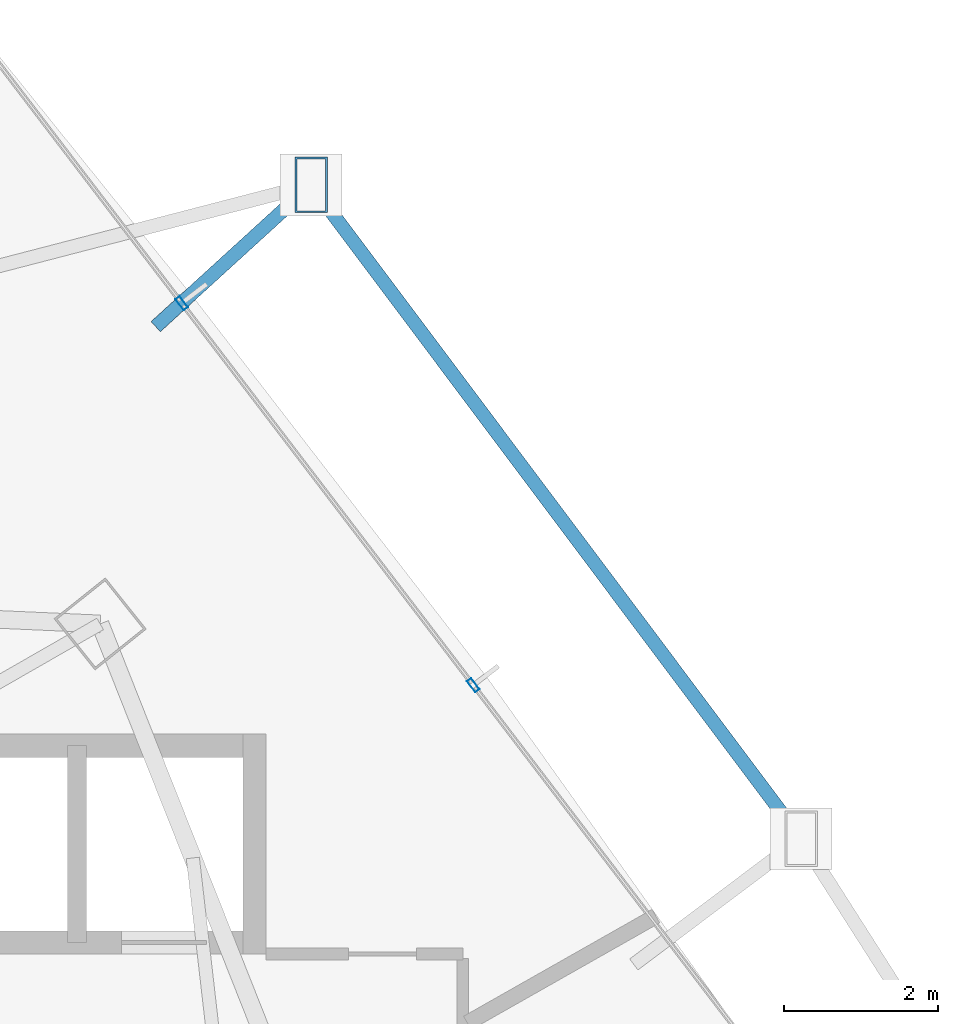
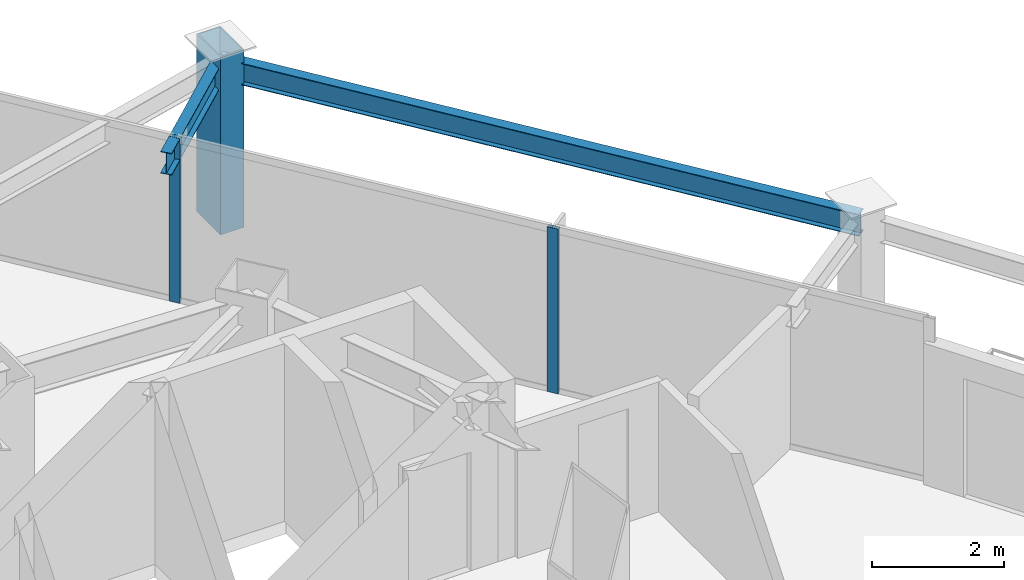
# One storey, part 26 of 33: 3 members, 2 beams, 1 element without a shape of its own.
"""IFC4 building model written with IfcOpenShell, lengths in metres."""

from ifc_helpers import new_model, si_unit, direction, frame, origin, origin_2d, place, context, subcontext, project, spatial, hollow_rectangle, i_section, extrude, material, layer, layer_set, material_profile, profile_set, type_object, element, aggregate, save


model = new_model("IFC4")

# Units and contexts
model_context = context("Model", 3, precision=1e-05, world=origin(), true_north=direction((0.0, 1.0)))
body_context = subcontext(model_context, "Body", "Model", "MODEL_VIEW")
ifc_project = project(units=[si_unit("LENGTHUNIT", "METRE"), si_unit("AREAUNIT", "SQUARE_METRE"), si_unit("VOLUMEUNIT", "CUBIC_METRE"), si_unit("PLANEANGLEUNIT", "RADIAN"), si_unit("MASSUNIT", "GRAM", prefix="KILO")], contexts=[model_context])

# Site, building, storey
site_placement = place(None, origin())
site = spatial("IfcSite", under=ifc_project, at=site_placement, CompositionType="ELEMENT")
building_placement = place(site_placement, origin())
building = spatial("IfcBuilding", under=site, at=building_placement, Name="Orvanel Arch Residences", CompositionType="ELEMENT")
storey_placement = place(building_placement, frame((0.0, 0.0, 70.85009765625)))
storey = spatial("IfcBuildingStorey", under=building, at=storey_placement, Name="L19", CompositionType="ELEMENT", Elevation=70.85009765625)

# Member
ifc_material_1 = material(Name="Structural steel AS/NZS 3678 Grade 350", Category="steel")
ifc_material_profile_1 = material_profile(ifc_material_1, hollow_rectangle(XDim=0.419921875, YDim=0.719970703125, WallThickness=0.02490234375, at=origin_2d()), Name="RHS720x420x25")
ifc_profile_set_1 = profile_set([ifc_material_profile_1], Name="Structural steel AS/NZS 3678 Grade 350")
member_type_1 = type_object("IfcMemberType", Name="CH-720RHS-EXT", PredefinedType="CHORD", material=ifc_profile_set_1)
member_1_placement = place(storey_placement, frame((40.68310546875, 46.867919921875, 0.0), z_axis=(0.0, 0.0, 1.0), x_axis=(1.0, 0.0, 0.0)))
element("IfcMember", 1, at=member_1_placement, inside=storey, type_object=member_type_1, Name="L19 Outer Perimeter Frame Post 12", PredefinedType="CHORD", context=body_context, shape_type="SweptSolid", body=[
    extrude(hollow_rectangle(XDim=0.419921875, YDim=0.719970703125, WallThickness=0.02490234375, at=origin_2d()), origin(), (0.0, 0.0, 1.0), 3.2998046875),
])

# Curtain wall, members
ifc_material_2 = material(Name="Bronze-anodised aluminium AA6063-T6", Category="aluminium")
ifc_layer = layer(ifc_material_2, 0.179931640625)
ifc_layer_set = layer_set([ifc_layer], Name="Bronze-anodised aluminium AA6063-T6")
curtain_wall_type = type_object("IfcCurtainWallType", Name="CW2-LOW-SYS", PredefinedType="NOTDEFINED", material=ifc_layer_set)
curtain_wall_placement = place(storey_placement, origin())
curtain_wall = element("IfcCurtainWall", 2, at=curtain_wall_placement, inside=storey, type_object=curtain_wall_type, Name="L19 CW2-LOW-SYS Unitised Curtain Wall", PredefinedType="NOTDEFINED")
ifc_material_profile_2 = material_profile(ifc_material_2, hollow_rectangle(XDim=0.070068359375, YDim=0.179931640625, WallThickness=0.00439453125, at=origin_2d()), Name="ALU180x70x4.5")
ifc_profile_set_2 = profile_set([ifc_material_profile_2], Name="Bronze-anodised aluminium AA6063-T6")
member_type_2 = type_object("IfcMemberType", Name="MUL-180x70", PredefinedType="MULLION", material=ifc_profile_set_2)
member_2_placement = place(storey_placement, frame((42.78564453125, 40.38427734375, 0.0), z_axis=(0.0, 0.0, 1.0), x_axis=(-0.794898267581, -0.606742733122, 0.0)))
member_2 = element("IfcMember", 3, at=member_2_placement, type_object=member_type_2, Name="CW-S2 mullion 2", PredefinedType="MULLION", context=body_context, shape_type="SweptSolid", body=[
    extrude(hollow_rectangle(XDim=0.070068359375, YDim=0.179931640625, WallThickness=0.00439453125, at=origin_2d()), origin(), (0.0, 0.0, 1.0), 3.059814453125),
])
member_3_placement = place(storey_placement, frame((39.00634765625, 45.335693359375, 0.0), z_axis=(0.0, 0.0, 1.0), x_axis=(-0.794898267581, -0.606742733122, 0.0)))
member_3 = element("IfcMember", 4, at=member_3_placement, type_object=member_type_2, Name="CW-S2 mullion 3", PredefinedType="MULLION", context=body_context, shape_type="SweptSolid", body=[
    extrude(hollow_rectangle(XDim=0.070068359375, YDim=0.179931640625, WallThickness=0.00439453125, at=origin_2d()), origin(), (0.0, 0.0, 1.0), 3.059814453125),
])
aggregate(curtain_wall, [member_2, member_3])

# Beams
ifc_material_3 = material(Name="Structural steel AS/NZS 3679.1 Grade 300 (300 MPa)", Category="steel")
ifc_material_profile_3 = material_profile(ifc_material_3, i_section(OverallWidth=0.177978515625, OverallDepth=0.406005859375, WebThickness=0.0078125, FlangeThickness=0.0126953125, at=origin_2d()), Name="410UB59.7")
ifc_profile_set_3 = profile_set([ifc_material_profile_3], Name="Structural steel AS/NZS 3679.1 Grade 300 (300 MPa)")
beam_type = type_object("IfcBeamType", Name="OB-410UB-EXT", PredefinedType="SPANDREL", material=ifc_profile_set_3)
beam_1_placement = place(storey_placement, frame((47.033935546875, 38.39404296875, 2.85693359375), z_axis=(-0.599723307078, 0.800207444946, 0.0), x_axis=(-0.800207444946, -0.599723307078, 0.0)))
element("IfcBeam", 5, at=beam_1_placement, inside=storey, type_object=beam_type, Name="L19 Outer Perimeter Floor Ring Beam 11", PredefinedType="SPANDREL", context=body_context, shape_type="SweptSolid", body=[
    extrude(i_section(OverallWidth=0.177978515625, OverallDepth=0.406005859375, WebThickness=0.0078125, FlangeThickness=0.0126953125, at=origin_2d()), origin(), (0.0, 0.0, 1.0), 10.589599609375),
])
beam_2_placement = place(storey_placement, frame((38.669921875, 45.031005859375, 2.85693359375), z_axis=(0.738706550301, 0.674027174929, 0.0), x_axis=(-0.674027174929, 0.738706550301, 0.0)))
element("IfcBeam", 6, at=beam_2_placement, inside=storey, type_object=beam_type, Name="L19 Outer Frame Radial Tie Beam 12", PredefinedType="SPANDREL", context=body_context, shape_type="SweptSolid", body=[
    extrude(i_section(OverallWidth=0.177978515625, OverallDepth=0.406005859375, WebThickness=0.0078125, FlangeThickness=0.0126953125, at=origin_2d()), origin(), (0.0, 0.0, 1.0), 2.725341796875),
])

save(model, "model.ifc")
